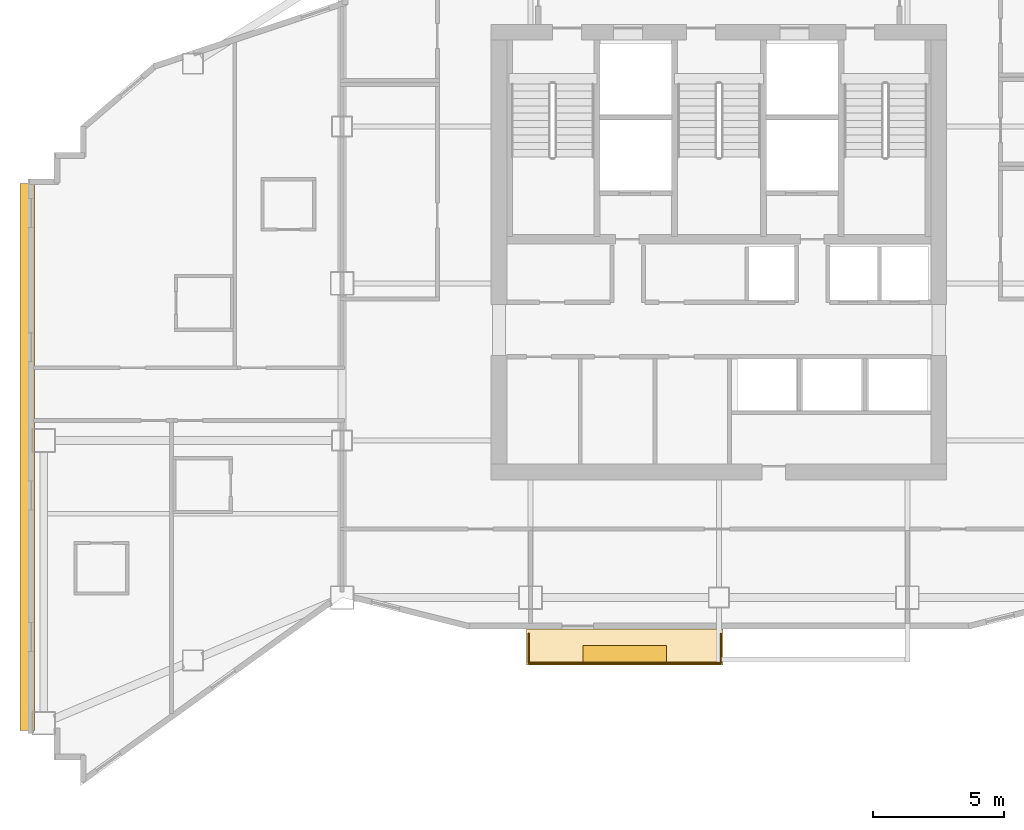
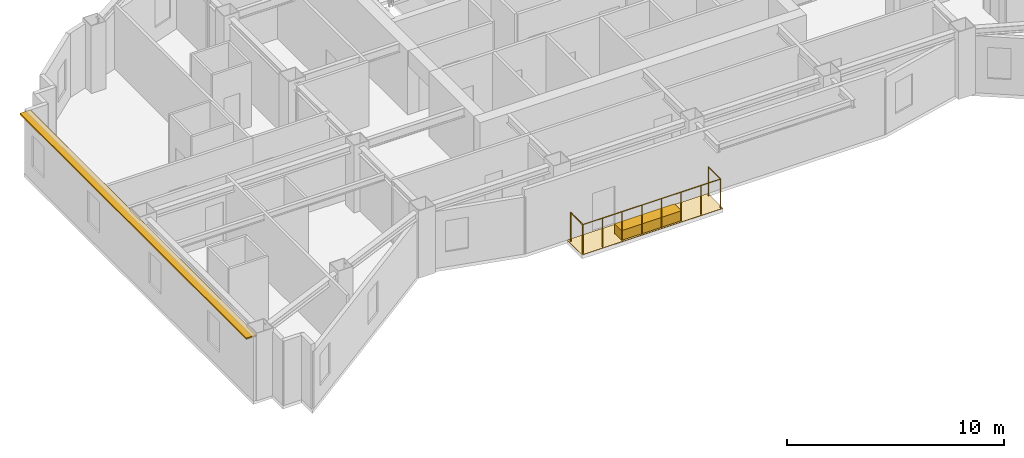
# One storey, part 10 of 12: 2 coverings, 2 railings, 1 shading device.
"""IFC4 building model written with IfcOpenShell, lengths in metres."""

from ifc_helpers import new_model, si_unit, direction, frame, origin, origin_2d, place, context, subcontext, project, spatial, polyline, rectangle, circle, outline, extrude, material, layer, layer_set, type_object, element, save


model = new_model("IFC4")

# Units and contexts
model_context = context("Model", 3, precision=1e-05, world=origin(), true_north=direction((0.0, 1.0)))
body_context = subcontext(model_context, "Body", "Model", "MODEL_VIEW")
ifc_project = project(units=[si_unit("LENGTHUNIT", "METRE"), si_unit("AREAUNIT", "SQUARE_METRE"), si_unit("VOLUMEUNIT", "CUBIC_METRE"), si_unit("PLANEANGLEUNIT", "RADIAN"), si_unit("MASSUNIT", "GRAM", prefix="KILO")], contexts=[model_context])

# Site, building, storey
site_placement = place(None, origin())
site = spatial("IfcSite", under=ifc_project, at=site_placement, CompositionType="ELEMENT")
building_placement = place(site_placement, origin())
building = spatial("IfcBuilding", under=site, at=building_placement, Name="Haolan Belvedere Tower", CompositionType="ELEMENT")
storey_placement = place(building_placement, frame((0.0, 0.0, 184.199951171875)))
storey = spatial("IfcBuildingStorey", under=building, at=storey_placement, Name="L46", CompositionType="ELEMENT", Elevation=184.199951171875)

# Coverings
ifc_material_1 = material(Name="Engineered lightweight planted garden soil substrate", Category="masonry")
ifc_layer_1 = layer(ifc_material_1, 0.550048828125, Name="Engineered lightweight planted garden soil substrate")
ifc_layer_set_1 = layer_set([ifc_layer_1], Name="Engineered lightweight planted garden soil substrate")
covering_type_1 = type_object("IfcCoveringType", Name="COV-PLANT-550", PredefinedType="MEMBRANE", material=ifc_layer_set_1)
covering_1_placement = place(storey_placement, frame((34.800048828125, 19.43994140625, 0.0), z_axis=(0.0, 0.0, 1.0), x_axis=(1.0, 0.0, 0.0)))
element("IfcCovering", 1, at=covering_1_placement, inside=storey, type_object=covering_type_1, Name="L46 structural tree balcony PLANTER box 1", PredefinedType="MEMBRANE", context=body_context, shape_type="SweptSolid", body=[
    extrude(rectangle(XDim=3.199951171875, YDim=0.64990234375, at=origin_2d()), origin(), (0.0, 0.0, 1.0), 0.550048828125),
])
ifc_material_2 = material(Name="Elastomeric waterproof roofing membrane and stone pavers", Category="masonry")
ifc_layer_2 = layer(ifc_material_2, 0.02001953125, Name="Elastomeric waterproof roofing membrane and stone pavers")
ifc_layer_set_2 = layer_set([ifc_layer_2], Name="Elastomeric waterproof roofing membrane and stone pavers")
covering_type_2 = type_object("IfcCoveringType", Name="COV-ROOF-20", PredefinedType="ROOFING", material=ifc_layer_set_2)
covering_2_placement = place(storey_placement, frame((0.0, 0.0, -0.02001953125)))
element("IfcCovering", 2, at=covering_2_placement, inside=storey, type_object=covering_type_2, Name="L46 tree-balcony waterproof membrane 1", PredefinedType="ROOFING", context=body_context, shape_type="SweptSolid", body=[
    extrude(outline(polyline([(31.050048828125, 19.02001953125), (38.550048828125, 19.02001953125), (38.550048828125, 20.39990234375), (31.050048828125, 20.39990234375), (31.050048828125, 19.02001953125)])), origin(), (0.0, 0.0, 1.0), 0.02001953125),
])

# Railings
ifc_material_3 = material(Name="Anodised aluminium and laminated glass balustrade", Category="aluminium")
railing_type = type_object("IfcRailingType", Name="RL-TER-BAL-1150", PredefinedType="BALUSTRADE", material=ifc_material_3)
railing_1_placement = place(storey_placement, frame((31.1298828125, 19.10009765625, 0.0)))
element("IfcRailing", 3, at=railing_1_placement, inside=storey, type_object=railing_type, Name="L46 outdoor perimeter balustrade BAL-L46-1-1", PredefinedType="BALUSTRADE", context=body_context, shape_type="SweptSolid", body=[
    extrude(circle(Radius=0.02392578125, at=origin_2d()), frame((0.0, 0.0, 1.6259765625), z_axis=(0.0, 1.0, 0.0), x_axis=(-1.0, 0.0, 0.0)), (0.0, 0.0, 1.0), 1.119873046875),
    extrude(circle(Radius=0.02099609375, at=origin_2d()), origin(), (0.0, 0.0, 1.0), 1.601806640625),
    extrude(circle(Radius=0.02099609375, at=origin_2d()), frame((0.0, 1.119873046875, 0.0)), (0.0, 0.0, 1.0), 1.601806640625),
])
railing_2_placement = place(storey_placement, frame((38.469970703125, 20.219970703125, 0.0)))
element("IfcRailing", 4, at=railing_2_placement, inside=storey, type_object=railing_type, Name="L46 outdoor perimeter balustrade BAL-L46-1-2", PredefinedType="BALUSTRADE", context=body_context, shape_type="SweptSolid", body=[
    extrude(circle(Radius=0.02392578125, at=origin_2d()), frame((0.0, 0.0, 1.6259765625), z_axis=(0.0, -1.0, 0.0), x_axis=(1.0, 0.0, 0.0)), (0.0, 0.0, 1.0), 1.119873046875),
    extrude(circle(Radius=0.02392578125, at=origin_2d()), frame((0.0, -1.119873046875, 1.6259765625), z_axis=(-1.0, 0.0, 0.0), x_axis=(0.0, -1.0, 0.0)), (0.0, 0.0, 1.0), 7.340087890625),
    extrude(circle(Radius=0.02099609375, at=origin_2d()), origin(), (0.0, 0.0, 1.0), 1.601806640625),
    extrude(circle(Radius=0.02099609375, at=origin_2d()), frame((0.0, -1.119873046875, 0.0)), (0.0, 0.0, 1.0), 1.601806640625),
    extrude(circle(Radius=0.02099609375, at=origin_2d()), frame((-1.048583984375, -1.119873046875, 0.0)), (0.0, 0.0, 1.0), 1.601806640625),
    extrude(circle(Radius=0.02099609375, at=origin_2d()), frame((-2.09716796875, -1.119873046875, 0.0)), (0.0, 0.0, 1.0), 1.601806640625),
    extrude(circle(Radius=0.02099609375, at=origin_2d()), frame((-3.145751953125, -1.119873046875, 0.0)), (0.0, 0.0, 1.0), 1.601806640625),
    extrude(circle(Radius=0.02099609375, at=origin_2d()), frame((-4.1943359375, -1.119873046875, 0.0)), (0.0, 0.0, 1.0), 1.601806640625),
    extrude(circle(Radius=0.02099609375, at=origin_2d()), frame((-5.242919921875, -1.119873046875, 0.0)), (0.0, 0.0, 1.0), 1.601806640625),
    extrude(circle(Radius=0.02099609375, at=origin_2d()), frame((-6.29150390625, -1.119873046875, 0.0)), (0.0, 0.0, 1.0), 1.601806640625),
    extrude(circle(Radius=0.02099609375, at=origin_2d()), frame((-7.340087890625, -1.119873046875, 0.0)), (0.0, 0.0, 1.0), 1.601806640625),
])

# Shading device
ifc_material_4 = material(Name="Anodised champagne-silver aluminium 6063-T6", Category="aluminium")
ifc_layer_3 = layer(ifc_material_4, 0.080078125, Name="Anodised champagne-silver aluminium 6063-T6")
ifc_layer_set_3 = layer_set([ifc_layer_3], Name="Anodised champagne-silver aluminium 6063-T6")
shading_device_type = type_object("IfcShadingDeviceType", Name="SHD-SUN-550", PredefinedType="USERDEFINED", material=ifc_layer_set_3)
shading_device_placement = place(storey_placement, frame((11.969970703125, 26.972412109375, 3.52001953125), z_axis=(0.0, 0.0, 1.0), x_axis=(0.0, -1.0, 0.0)))
element("IfcShadingDevice", 5, at=shading_device_placement, inside=storey, type_object=shading_device_type, Name="L46 pale-metal horizontal SUNSHADE band 35.1", ObjectType="SUNSHADE", PredefinedType="USERDEFINED", context=body_context, shape_type="SweptSolid", body=[
    extrude(rectangle(XDim=20.905029296875, YDim=0.550048828125, at=origin_2d()), origin(), (0.0, 0.0, 1.0), 0.080078125),
])

save(model, "model.ifc")
